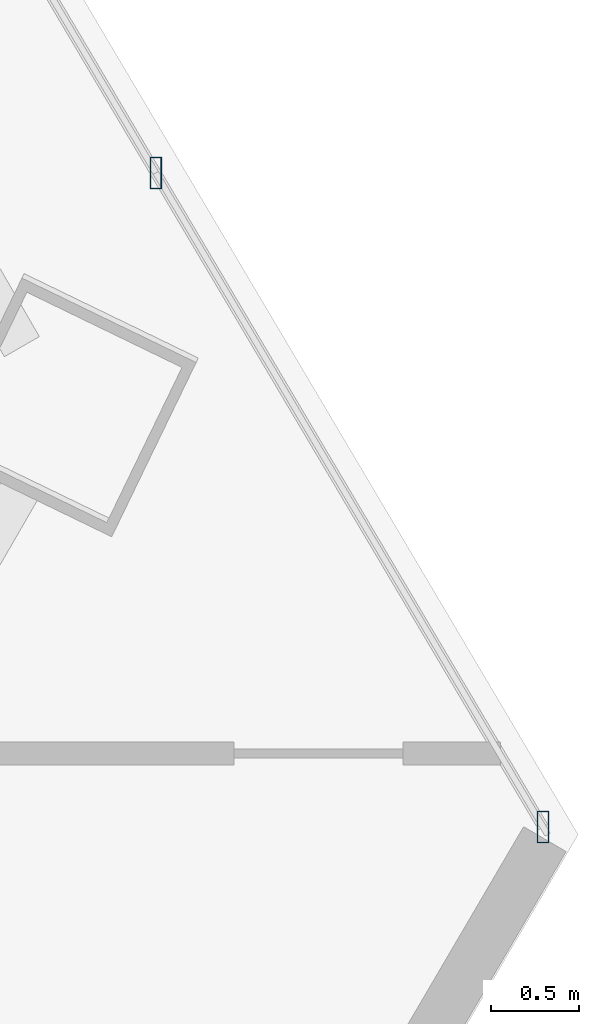
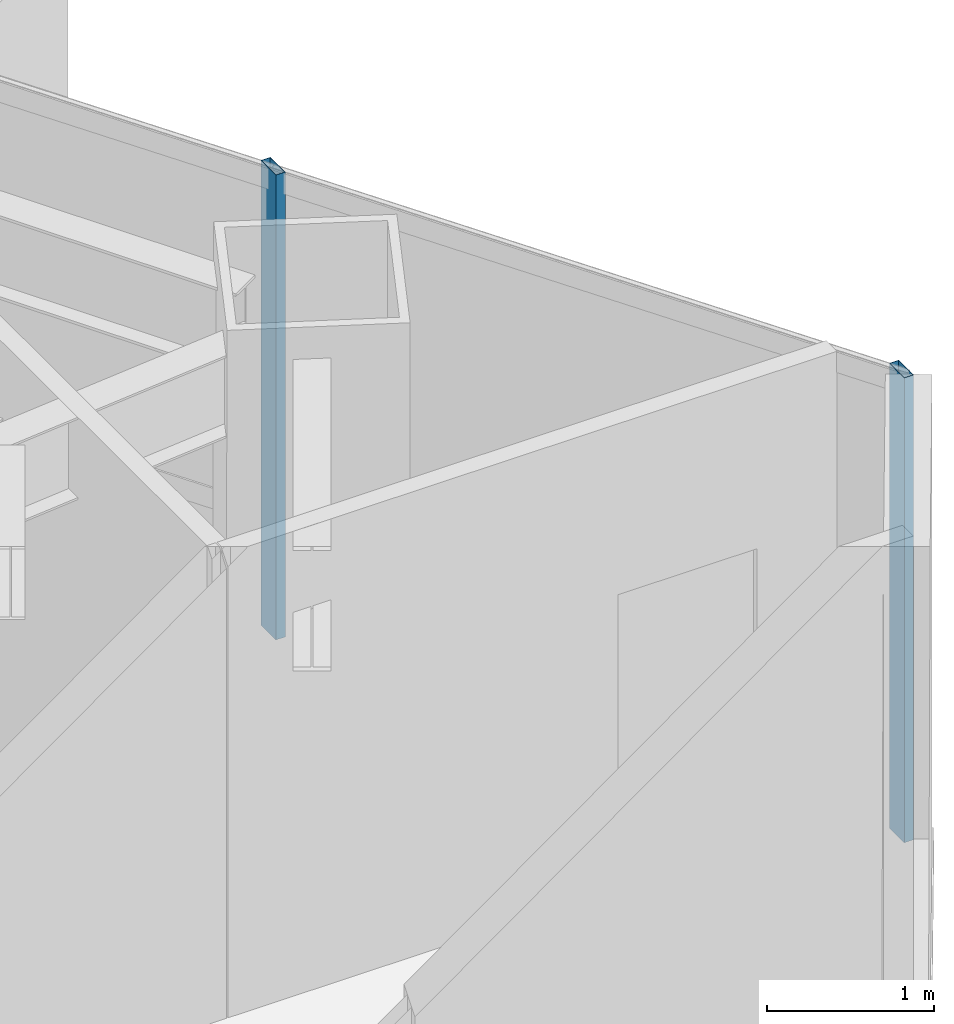
# One storey, part 19 of 36: 2 members, 1 element without a shape of its own.
"""IFC4 building model written with IfcOpenShell, lengths in metres."""

from ifc_helpers import new_model, si_unit, direction, frame, origin, origin_2d, place, context, subcontext, project, spatial, hollow_rectangle, extrude, source, transform, mapped, material, material_profile, profile_set, type_object, type_shapes, element, aggregate, save


model = new_model("IFC4")

# Units and contexts
model_context = context("Model", 3, precision=1e-05, world=origin(), true_north=direction((0.0, 1.0)))
body_context = subcontext(model_context, "Body", "Model", "MODEL_VIEW")
ifc_project = project(units=[si_unit("LENGTHUNIT", "METRE"), si_unit("AREAUNIT", "SQUARE_METRE"), si_unit("VOLUMEUNIT", "CUBIC_METRE"), si_unit("PLANEANGLEUNIT", "RADIAN"), si_unit("MASSUNIT", "GRAM", prefix="KILO")], contexts=[model_context])

# Site, building, storey
site_placement = place(None, origin())
site = spatial("IfcSite", under=ifc_project, at=site_placement, CompositionType="ELEMENT")
building_placement = place(site_placement, origin())
building = spatial("IfcBuilding", under=site, at=building_placement, Name="Caelisora Broadcast Tower", CompositionType="ELEMENT")
storey_placement = place(building_placement, frame((0.0, 0.0, 112.699951171875)))
storey = spatial("IfcBuildingStorey", under=building, at=storey_placement, Name="L29", CompositionType="ELEMENT", Elevation=112.699951171875)

# Curtain wall, members
ifc_material_1 = material(Name="Unitised Aluminium and Low-E Glass Curtain Wall", Category="glass")
curtain_wall_type = type_object("IfcCurtainWallType", Name="CW-Z2", PredefinedType="NOTDEFINED", material=ifc_material_1)
curtain_wall_placement = place(storey_placement, origin())
curtain_wall = element("IfcCurtainWall", 1, at=curtain_wall_placement, inside=storey, type_object=curtain_wall_type, Name="L29 curtain wall CW-Z2", PredefinedType="NOTDEFINED")
ifc_material_2 = material(Name="Aluminium 6063-T6 Anodised Terracotta Bronze", Category="aluminium")
ifc_material_profile = material_profile(ifc_material_2, hollow_rectangle(XDim=0.06494140625, YDim=0.179931640625, WallThickness=0.00341796875, at=origin_2d()), Name="Aluminium 6063-T6 Anodised Terracotta Bronze")
ifc_profile_set = profile_set([ifc_material_profile], Name="Aluminium 6063-T6 Anodised Terracotta Bronze")
member_type = type_object("IfcMemberType", Name="CWM-02", PredefinedType="MULLION", material=ifc_profile_set)
shared_shape = source(origin(), body_context, "Body", "SweptSolid", [
    extrude(hollow_rectangle(XDim=0.06494140625, YDim=0.179931640625, WallThickness=0.00341796875, at=origin_2d()), origin(), (0.0, 0.0, 1.0), 3.400146484375),
])
type_shapes(member_type, [shared_shape])
member_1_placement = place(storey_placement, frame((61.55029296875, 20.3994140625, 0.0), z_axis=(0.0, 0.0, 1.0), x_axis=(1.0, 0.0, 0.0)))
member_1 = element("IfcMember", 2, at=member_1_placement, type_object=member_type, Name="L29-CW-B03 mullion #2", PredefinedType="MULLION", context=body_context, shape_type="MappedRepresentation", body=[
    mapped(shared_shape, transform((0.0, 0.0, 0.0), scale=1.0)),
])
member_2_placement = place(storey_placement, frame((63.75146484375, 16.681884765625, 0.0), z_axis=(0.0, 0.0, 1.0), x_axis=(1.0, 0.0, 0.0)))
member_2 = element("IfcMember", 3, at=member_2_placement, type_object=member_type, Name="L29-CW-B03 mullion #3", PredefinedType="MULLION", context=body_context, shape_type="MappedRepresentation", body=[
    mapped(shared_shape, transform((0.0, 0.0, 0.0), scale=1.0)),
])
aggregate(curtain_wall, [member_1, member_2])

save(model, "model.ifc")
